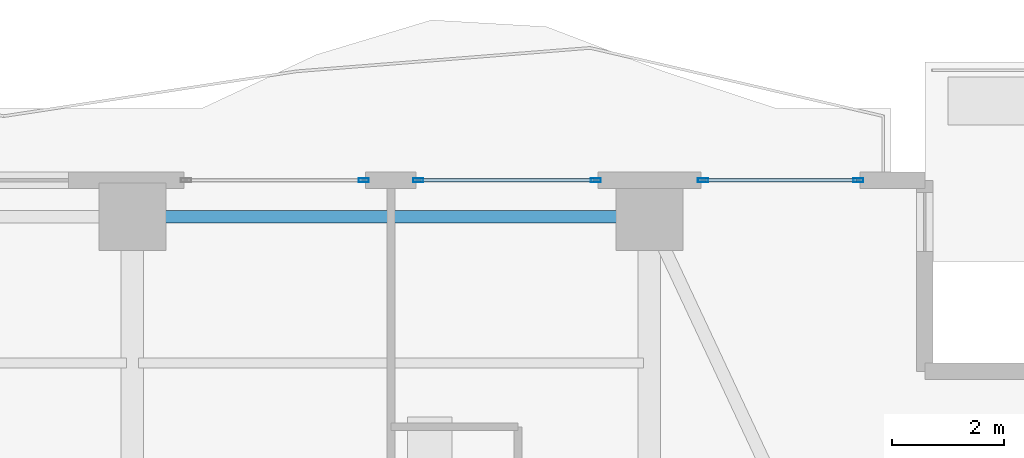
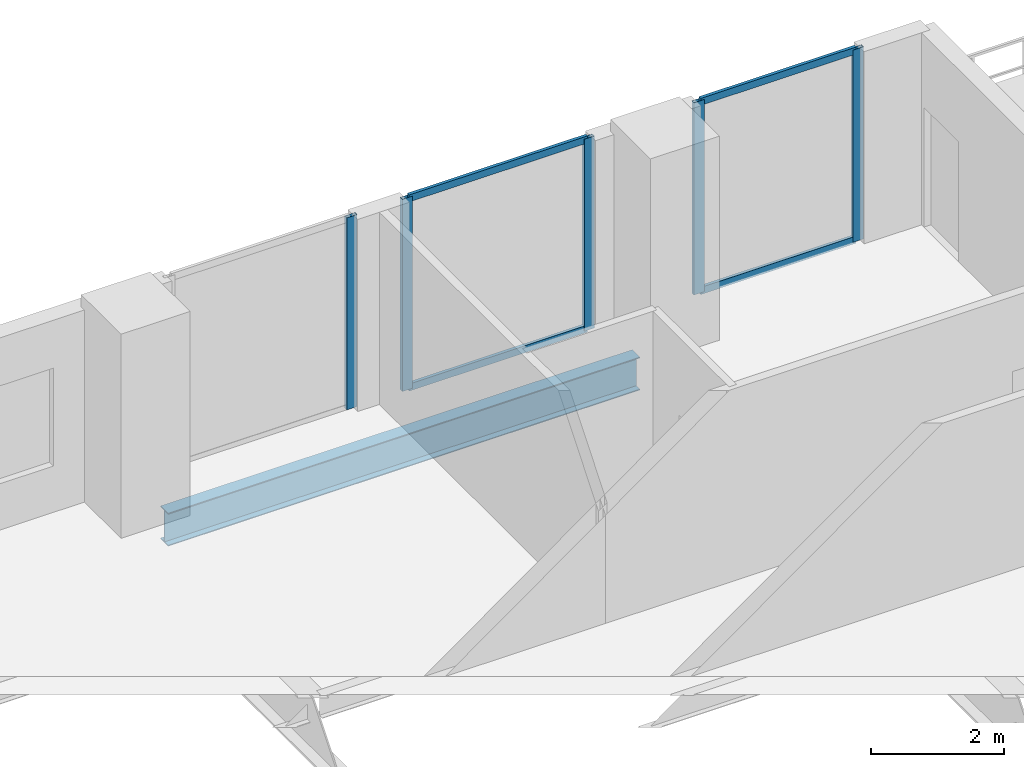
# One storey, part 23 of 32: 9 members, 1 beam, 3 elements without a shape of their own.
"""IFC4 building model written with IfcOpenShell, lengths in metres."""

from ifc_helpers import new_model, si_unit, direction, frame, origin, origin_2d, place, context, subcontext, project, spatial, hollow_rectangle, i_section, extrude, material, layer, layer_set, material_profile, profile_set, type_object, element, aggregate, save


model = new_model("IFC4")

# Units and contexts
model_context = context("Model", 3, precision=1e-05, world=origin(), true_north=direction((0.0, 1.0)))
body_context = subcontext(model_context, "Body", "Model", "MODEL_VIEW")
ifc_project = project(units=[si_unit("LENGTHUNIT", "METRE"), si_unit("AREAUNIT", "SQUARE_METRE"), si_unit("VOLUMEUNIT", "CUBIC_METRE"), si_unit("PLANEANGLEUNIT", "RADIAN"), si_unit("MASSUNIT", "GRAM", prefix="KILO")], contexts=[model_context])

# Site, building, storey
site_placement = place(None, origin())
site = spatial("IfcSite", under=ifc_project, at=site_placement, CompositionType="ELEMENT")
building_placement = place(site_placement, origin())
building = spatial("IfcBuilding", under=site, at=building_placement, Name="Zuhayl Quay Hotel", CompositionType="ELEMENT")
storey_placement = place(building_placement, frame((0.0, 0.0, 218.64990234375)))
storey = spatial("IfcBuildingStorey", under=building, at=storey_placement, Name="L55", CompositionType="ELEMENT", Elevation=218.64990234375)

# Beam
ifc_material_1 = material(Name="Steel ASTM A992 Grade 50", Category="steel")
ifc_material_profile_1 = material_profile(ifc_material_1, i_section(OverallWidth=0.22802734375, OverallDepth=0.60693359375, WebThickness=0.01123046875, FlangeThickness=0.017333984375, at=origin_2d()), Name="W24X76")
ifc_profile_set_1 = profile_set([ifc_material_profile_1], Name="Steel ASTM A992 Grade 50")
beam_type = type_object("IfcBeamType", Name="BM_B3_W24X76", PredefinedType="BEAM", material=ifc_profile_set_1)
beam_placement = place(storey_placement, frame((13.300048828125, 32.949951171875, -0.5234375), z_axis=(-1.0, 0.0, 0.0), x_axis=(0.0, -1.0, 0.0)))
element("IfcBeam", 1, at=beam_placement, inside=storey, type_object=beam_type, Name="L55 Floor Beam RG_L55_07", PredefinedType="BEAM", context=body_context, shape_type="SweptSolid", body=[
    extrude(i_section(OverallWidth=0.22802734375, OverallDepth=0.60693359375, WebThickness=0.01123046875, FlangeThickness=0.017333984375, at=origin_2d()), origin(), (0.0, 0.0, 1.0), 8.199951171875),
])

# Curtain wall, member
ifc_material_2 = material(Name="Anodised Aluminium 6063-T6", Category="aluminium")
ifc_layer = layer(ifc_material_2, 0.175048828125, Name="Anodised Aluminium 6063-T6", Category="aluminium")
ifc_layer_set = layer_set([ifc_layer], Name="Anodised Aluminium 6063-T6")
curtain_wall_type = type_object("IfcCurtainWallType", Name="CW_SYS_Z3", PredefinedType="USERDEFINED", material=ifc_layer_set)
curtain_wall_1_placement = place(storey_placement, origin())
curtain_wall_1 = element("IfcCurtainWall", 2, at=curtain_wall_1_placement, inside=storey, type_object=curtain_wall_type, Name="L55 Curtain Wall ENV_L55_N_CW5", ObjectType="UNITISED CURTAIN WALL", PredefinedType="USERDEFINED")
ifc_material_3 = material(Name="Black-anodised aluminium 6063-T6", Category="aluminium")
ifc_material_profile_2 = material_profile(ifc_material_3, hollow_rectangle(XDim=0.06494140625, YDim=0.179931640625, WallThickness=0.00341796875, at=origin_2d()), Name="ALU180X65")
ifc_profile_set_2 = profile_set([ifc_material_profile_2], Name="Black-anodised aluminium 6063-T6")
member_type_1 = type_object("IfcMemberType", Name="MB_CW_MUL_180", PredefinedType="MULLION", material=ifc_profile_set_2)
member_1_placement = place(storey_placement, frame((8.717529296875, 33.60009765625, 0.0), z_axis=(0.0, 0.0, 1.0), x_axis=(0.0, 1.0, 0.0)))
member_1 = element("IfcMember", 3, at=member_1_placement, type_object=member_type_1, Name="CW-Z3 mullion 2", PredefinedType="MULLION", context=body_context, shape_type="SweptSolid", body=[
    extrude(hollow_rectangle(XDim=0.06494140625, YDim=0.179931640625, WallThickness=0.00341796875, at=origin_2d()), origin(), (0.0, 0.0, 1.0), 3.530029296875),
])
aggregate(curtain_wall_1, [member_1])

# Curtain wall, members
curtain_wall_2_placement = place(storey_placement, origin())
curtain_wall_2 = element("IfcCurtainWall", 4, at=curtain_wall_2_placement, inside=storey, type_object=curtain_wall_type, Name="L55 Curtain Wall ENV_L55_N_CW6", ObjectType="UNITISED CURTAIN WALL", PredefinedType="USERDEFINED")
member_2_placement = place(storey_placement, frame((9.6826171875, 33.60009765625, 0.0), z_axis=(0.0, 0.0, 1.0), x_axis=(0.0, 1.0, 0.0)))
member_2 = element("IfcMember", 5, at=member_2_placement, type_object=member_type_1, Name="CW-Z3 mullion 1", PredefinedType="MULLION", context=body_context, shape_type="SweptSolid", body=[
    extrude(hollow_rectangle(XDim=0.06494140625, YDim=0.179931640625, WallThickness=0.00341796875, at=origin_2d()), origin(), (0.0, 0.0, 1.0), 3.530029296875),
])
member_3_placement = place(storey_placement, frame((12.847412109375, 33.60009765625, 0.0), z_axis=(0.0, 0.0, 1.0), x_axis=(0.0, 1.0, 0.0)))
member_3 = element("IfcMember", 6, at=member_3_placement, type_object=member_type_1, Name="CW-Z3 mullion 2", PredefinedType="MULLION", context=body_context, shape_type="SweptSolid", body=[
    extrude(hollow_rectangle(XDim=0.06494140625, YDim=0.179931640625, WallThickness=0.00341796875, at=origin_2d()), origin(), (0.0, 0.0, 1.0), 3.530029296875),
])

curtain_wall_3_placement = place(storey_placement, origin())
curtain_wall_3 = element("IfcCurtainWall", 7, at=curtain_wall_3_placement, inside=storey, type_object=curtain_wall_type, Name="L55 Curtain Wall ENV_L55_N_CW7", ObjectType="UNITISED CURTAIN WALL", PredefinedType="USERDEFINED")
member_4_placement = place(storey_placement, frame((14.75244140625, 33.60009765625, 0.0), z_axis=(0.0, 0.0, 1.0), x_axis=(0.0, 1.0, 0.0)))
member_4 = element("IfcMember", 8, at=member_4_placement, type_object=member_type_1, Name="CW-Z3 mullion 1", PredefinedType="MULLION", context=body_context, shape_type="SweptSolid", body=[
    extrude(hollow_rectangle(XDim=0.06494140625, YDim=0.179931640625, WallThickness=0.00341796875, at=origin_2d()), origin(), (0.0, 0.0, 1.0), 3.530029296875),
])
member_5_placement = place(storey_placement, frame((17.517578125, 33.60009765625, 0.0), z_axis=(0.0, 0.0, 1.0), x_axis=(0.0, 1.0, 0.0)))
member_5 = element("IfcMember", 9, at=member_5_placement, type_object=member_type_1, Name="CW-Z3 mullion 2", PredefinedType="MULLION", context=body_context, shape_type="SweptSolid", body=[
    extrude(hollow_rectangle(XDim=0.06494140625, YDim=0.179931640625, WallThickness=0.00341796875, at=origin_2d()), origin(), (0.0, 0.0, 1.0), 3.530029296875),
])

# Member
ifc_material_profile_3 = material_profile(ifc_material_3, hollow_rectangle(XDim=0.054931640625, YDim=0.1298828125, WallThickness=0.0029296875, at=origin_2d()), Name="ALU130X55")
ifc_profile_set_3 = profile_set([ifc_material_profile_3], Name="Black-anodised aluminium 6063-T6")
member_type_2 = type_object("IfcMemberType", Name="MB_CW_TRN_130", PredefinedType="USERDEFINED", material=ifc_profile_set_3)
member_6_placement = place(storey_placement, frame((9.715087890625, 33.60009765625, 0.027587890625), z_axis=(1.0, 0.0, 0.0), x_axis=(0.0, 1.0, 0.0)))
member_6 = element("IfcMember", 10, at=member_6_placement, type_object=member_type_2, Name="CW-Z3 transom 1.1", ObjectType="TRANSOM", PredefinedType="USERDEFINED", context=body_context, shape_type="SweptSolid", body=[
    extrude(hollow_rectangle(XDim=0.054931640625, YDim=0.1298828125, WallThickness=0.0029296875, at=origin_2d()), origin(), (0.0, 0.0, 1.0), 3.099853515625),
])

member_7_placement = place(storey_placement, frame((9.715087890625, 33.60009765625, 3.502685546875), z_axis=(1.0, 0.0, 0.0), x_axis=(0.0, 1.0, 0.0)))
member_7 = element("IfcMember", 11, at=member_7_placement, type_object=member_type_2, Name="CW-Z3 transom 1.2", ObjectType="TRANSOM", PredefinedType="USERDEFINED", context=body_context, shape_type="SweptSolid", body=[
    extrude(hollow_rectangle(XDim=0.054931640625, YDim=0.1298828125, WallThickness=0.0029296875, at=origin_2d()), origin(), (0.0, 0.0, 1.0), 3.099853515625),
])

aggregate(curtain_wall_2, [member_2, member_3, member_6, member_7])

member_8_placement = place(storey_placement, frame((14.784912109375, 33.60009765625, 0.027587890625), z_axis=(1.0, 0.0, 0.0), x_axis=(0.0, 1.0, 0.0)))
member_8 = element("IfcMember", 12, at=member_8_placement, type_object=member_type_2, Name="CW-Z3 transom 1.1", ObjectType="TRANSOM", PredefinedType="USERDEFINED", context=body_context, shape_type="SweptSolid", body=[
    extrude(hollow_rectangle(XDim=0.054931640625, YDim=0.1298828125, WallThickness=0.0029296875, at=origin_2d()), origin(), (0.0, 0.0, 1.0), 2.7001953125),
])

member_9_placement = place(storey_placement, frame((14.784912109375, 33.60009765625, 3.502685546875), z_axis=(1.0, 0.0, 0.0), x_axis=(0.0, 1.0, 0.0)))
member_9 = element("IfcMember", 13, at=member_9_placement, type_object=member_type_2, Name="CW-Z3 transom 1.2", ObjectType="TRANSOM", PredefinedType="USERDEFINED", context=body_context, shape_type="SweptSolid", body=[
    extrude(hollow_rectangle(XDim=0.054931640625, YDim=0.1298828125, WallThickness=0.0029296875, at=origin_2d()), origin(), (0.0, 0.0, 1.0), 2.7001953125),
])

aggregate(curtain_wall_3, [member_4, member_5, member_8, member_9])

save(model, "model.ifc")
